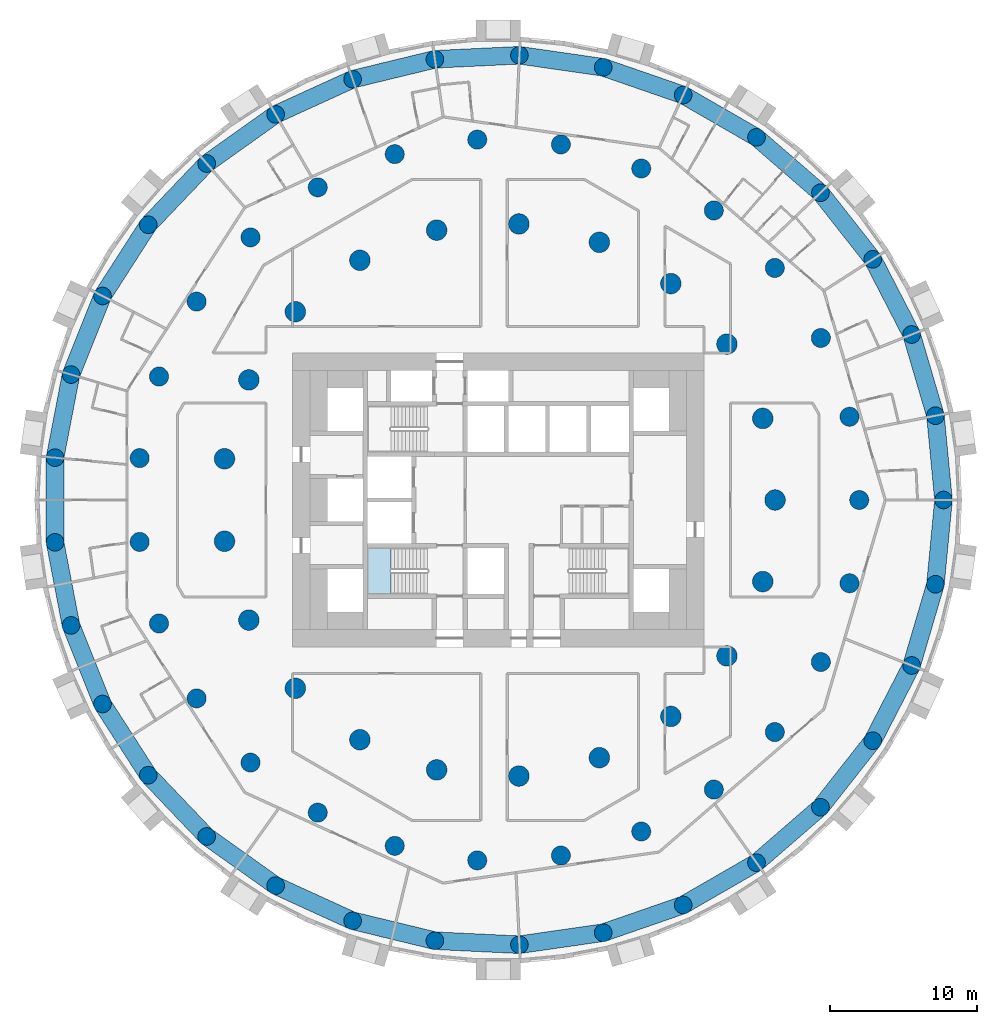
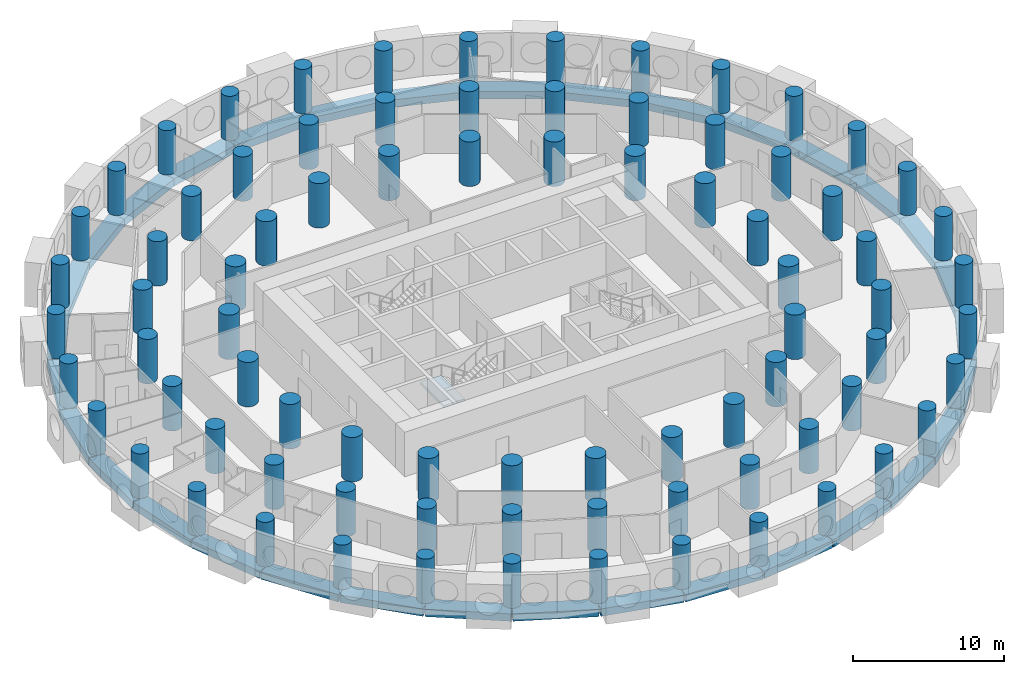
# One storey, part 1 of 12: 81 columns, 33 beams, 1 slab, 1 element without a shape of its own.
"""IFC4 building model written with IfcOpenShell, lengths in metres."""

from ifc_helpers import new_model, si_unit, direction, frame, origin, origin_2d, place, context, subcontext, project, spatial, polyline, rectangle, circle, outline, extrude, material, layer, layer_set, material_profile, profile_set, type_object, element, aggregate, save


model = new_model("IFC4")

# Units and contexts
model_context = context("Model", 3, precision=1e-05, world=origin(), true_north=direction((0.0, 1.0)))
body_context = subcontext(model_context, "Body", "Model", "MODEL_VIEW")
ifc_project = project(units=[si_unit("LENGTHUNIT", "METRE"), si_unit("AREAUNIT", "SQUARE_METRE"), si_unit("VOLUMEUNIT", "CUBIC_METRE"), si_unit("PLANEANGLEUNIT", "RADIAN"), si_unit("MASSUNIT", "GRAM", prefix="KILO")], contexts=[model_context])

# Site, building, storey
site_placement = place(None, origin())
site = spatial("IfcSite", under=ifc_project, at=site_placement, CompositionType="ELEMENT")
building_placement = place(site_placement, origin())
building = spatial("IfcBuilding", under=site, at=building_placement, Name="Tracery Tower", CompositionType="ELEMENT")
storey_placement = place(building_placement, frame((0.0, 0.0, 103.800048828125)))
storey = spatial("IfcBuildingStorey", under=building, at=storey_placement, Name="L26", CompositionType="ELEMENT", Elevation=103.800048828125)

# Columns
ifc_material_1 = material(Name="Concrete C60/75", Category="concrete")
ifc_material_profile_1 = material_profile(ifc_material_1, circle(Radius=0.60009765625, at=origin_2d()), Name="RC D1200")
ifc_profile_set_1 = profile_set([ifc_material_profile_1], Name="Concrete C60/75")
column_type_1 = type_object("IfcColumnType", Name="Ring 0 column 1200", PredefinedType="COLUMN", material=ifc_profile_set_1)
for number, where, z_axis, x_axis, name in (
    (1, (30.274658203125, 0.0, 0.0), (0.0, 0.0, 1.0), (1.0, 0.0, 0.0), "Ring 0 column 00 at L26"),
    (2, (29.7275390625, 5.7294921875, 0.0), (0.0, 0.0, 1.0), (1.0, 0.0, 0.0), "Ring 0 column 01 at L26"),
    (3, (28.10595703125, 11.251953125, 0.0), (0.0, 0.0, 1.0), (1.0, 0.0, 0.0), "Ring 0 column 02 at L26"),
    (4, (25.468505859375, 16.36767578125, 0.0), (0.0, 0.0, 1.0), (1.0, 0.0, 0.0), "Ring 0 column 03 at L26"),
    (5, (21.910888671875, 20.891845703125, 0.0), (0.0, 0.0, 1.0), (1.0, 0.0, 0.0), "Ring 0 column 04 at L26"),
    (6, (17.56103515625, 24.660888671875, 0.0), (0.0, 0.0, 1.0), (1.0, 0.0, 0.0), "Ring 0 column 05 at L26"),
    (7, (12.576416015625, 27.538818359375, 0.0), (0.0, 0.0, 1.0), (1.0, 0.0, 0.0), "Ring 0 column 06 at L26"),
    (8, (7.137451171875, 29.421142578125, 0.0), (0.0, 0.0, 1.0), (1.0, 0.0, 0.0), "Ring 0 column 07 at L26"),
    (9, (1.4404296875, 30.240234375, 0.0), (0.0, 0.0, 1.0), (1.0, 0.0, 0.0), "Ring 0 column 08 at L26"),
    (10, (-4.30859375, 29.96630859375, 0.0), (0.0, 0.0, 1.0), (1.0, 0.0, 0.0), "Ring 0 column 09 at L26"),
    (11, (-9.90185546875, 28.609619140625, 0.0), (0.0, 0.0, 1.0), (1.0, 0.0, 0.0), "Ring 0 column 10 at L26"),
    (12, (-15.13720703125, 26.218505859375, 0.0), (0.0, 0.0, 1.0), (1.0, 0.0, 0.0), "Ring 0 column 11 at L26"),
    (13, (-19.82568359375, 22.8798828125, 0.0), (0.0, 0.0, 1.0), (1.0, 0.0, 0.0), "Ring 0 column 12 at L26"),
    (14, (-23.79736328125, 18.714599609375, 0.0), (0.0, 0.0, 1.0), (1.0, 0.0, 0.0), "Ring 0 column 13 at L26"),
    (15, (-26.9091796875, 13.87255859375, 0.0), (0.0, 0.0, 1.0), (1.0, 0.0, 0.0), "Ring 0 column 14 at L26"),
    (16, (-29.04833984375, 8.529296875, 0.0), (0.0, 0.0, 1.0), (1.0, 0.0, 0.0), "Ring 0 column 15 at L26"),
    (17, (-30.137451171875, 2.877685546875, 0.0), (0.0, 0.0, 1.0), (1.0, 0.0, 0.0), "Ring 0 column 16 at L26"),
    (18, (-30.137451171875, -2.877685546875, 0.0), (0.0, 0.0, 1.0), (1.0, 0.0, 0.0), "Ring 0 column 17 at L26"),
    (19, (-29.04833984375, -8.529296875, 0.0), (0.0, 0.0, 1.0), (1.0, 0.0, 0.0), "Ring 0 column 18 at L26"),
    (20, (-26.9091796875, -13.87255859375, 0.0), (0.0, 0.0, 1.0), (1.0, 0.0, 0.0), "Ring 0 column 19 at L26"),
    (21, (-23.79736328125, -18.714599609375, 0.0), (0.0, 0.0, 1.0), (1.0, 0.0, 0.0), "Ring 0 column 20 at L26"),
    (22, (-19.82568359375, -22.8798828125, 0.0), (0.0, 0.0, 1.0), (1.0, 0.0, 0.0), "Ring 0 column 21 at L26"),
    (23, (-15.13720703125, -26.218505859375, 0.0), (0.0, 0.0, 1.0), (1.0, 0.0, 0.0), "Ring 0 column 22 at L26"),
    (24, (-9.90185546875, -28.609619140625, 0.0), (0.0, 0.0, 1.0), (1.0, 0.0, 0.0), "Ring 0 column 23 at L26"),
    (25, (-4.30859375, -29.96630859375, 0.0), (0.0, 0.0, 1.0), (1.0, 0.0, 0.0), "Ring 0 column 24 at L26"),
    (26, (1.4404296875, -30.240234375, 0.0), (0.0, 0.0, 1.0), (1.0, 0.0, 0.0), "Ring 0 column 25 at L26"),
    (27, (7.137451171875, -29.421142578125, 0.0), (0.0, 0.0, 1.0), (1.0, 0.0, 0.0), "Ring 0 column 26 at L26"),
    (28, (12.576416015625, -27.538818359375, 0.0), (0.0, 0.0, 1.0), (1.0, 0.0, 0.0), "Ring 0 column 27 at L26"),
    (29, (17.56103515625, -24.660888671875, 0.0), (0.0, 0.0, 1.0), (1.0, 0.0, 0.0), "Ring 0 column 28 at L26"),
    (30, (21.910888671875, -20.891845703125, 0.0), (0.0, 0.0, 1.0), (1.0, 0.0, 0.0), "Ring 0 column 29 at L26"),
    (31, (25.468505859375, -16.36767578125, 0.0), (0.0, 0.0, 1.0), (1.0, 0.0, 0.0), "Ring 0 column 30 at L26"),
    (32, (28.10595703125, -11.251953125, 0.0), (0.0, 0.0, 1.0), (1.0, 0.0, 0.0), "Ring 0 column 31 at L26"),
    (33, (29.7275390625, -5.7294921875, 0.0), (0.0, 0.0, 1.0), (1.0, 0.0, 0.0), "Ring 0 column 32 at L26"),
):
    element("IfcColumn", number, at=place(storey_placement, frame(where, z_axis=z_axis, x_axis=x_axis)), inside=storey, type_object=column_type_1, Name=name, PredefinedType="COLUMN", context=body_context, shape_type="SweptSolid", body=[
        extrude(circle(Radius=0.60009765625, at=origin_2d()), origin(), (0.0, 0.0, 1.0), 3.599853515625),
    ])
ifc_material_2 = material(Name="Concrete C60/75", Category="concrete")
ifc_material_profile_2 = material_profile(ifc_material_2, circle(Radius=0.64990234375, at=origin_2d()), Name="RC D1300")
ifc_profile_set_2 = profile_set([ifc_material_profile_2], Name="Concrete C60/75")
column_type_2 = type_object("IfcColumnType", Name="Ring 1 column 1300", PredefinedType="COLUMN", material=ifc_profile_set_2)
for number, where, z_axis, x_axis, name in (
    (34, (24.547607421875, 0.0, 0.0), (0.0, 0.0, 1.0), (1.0, 0.0, 0.0), "Ring 1 column 00 at L26"),
    (35, (23.885986328125, 5.6611328125, 0.0), (0.0, 0.0, 1.0), (1.0, 0.0, 0.0), "Ring 1 column 01 at L26"),
    (36, (21.9365234375, 11.01708984375, 0.0), (0.0, 0.0, 1.0), (1.0, 0.0, 0.0), "Ring 1 column 02 at L26"),
    (37, (18.8046875, 15.779052734375, 0.0), (0.0, 0.0, 1.0), (1.0, 0.0, 0.0), "Ring 1 column 03 at L26"),
    (38, (14.658935546875, 19.690185546875, 0.0), (0.0, 0.0, 1.0), (1.0, 0.0, 0.0), "Ring 1 column 04 at L26"),
    (39, (9.722900390625, 22.5400390625, 0.0), (0.0, 0.0, 1.0), (1.0, 0.0, 0.0), "Ring 1 column 05 at L26"),
    (40, (4.2626953125, 24.1748046875, 0.0), (0.0, 0.0, 1.0), (1.0, 0.0, 0.0), "Ring 1 column 06 at L26"),
    (41, (-1.42724609375, 24.506103515625, 0.0), (0.0, 0.0, 1.0), (1.0, 0.0, 0.0), "Ring 1 column 07 at L26"),
    (42, (-7.040283203125, 23.516357421875, 0.0), (0.0, 0.0, 1.0), (1.0, 0.0, 0.0), "Ring 1 column 08 at L26"),
    (43, (-12.273681640625, 21.2587890625, 0.0), (0.0, 0.0, 1.0), (1.0, 0.0, 0.0), "Ring 1 column 09 at L26"),
    (44, (-16.845703125, 17.855224609375, 0.0), (0.0, 0.0, 1.0), (1.0, 0.0, 0.0), "Ring 1 column 10 at L26"),
    (45, (-20.50927734375, 13.4892578125, 0.0), (0.0, 0.0, 1.0), (1.0, 0.0, 0.0), "Ring 1 column 11 at L26"),
    (46, (-23.0673828125, 8.395751953125, 0.0), (0.0, 0.0, 1.0), (1.0, 0.0, 0.0), "Ring 1 column 12 at L26"),
    (47, (-24.381591796875, 2.849853515625, 0.0), (0.0, 0.0, 1.0), (1.0, 0.0, 0.0), "Ring 1 column 13 at L26"),
    (48, (-24.381591796875, -2.849853515625, 0.0), (0.0, 0.0, 1.0), (1.0, 0.0, 0.0), "Ring 1 column 14 at L26"),
    (49, (-23.0673828125, -8.395751953125, 0.0), (0.0, 0.0, 1.0), (1.0, 0.0, 0.0), "Ring 1 column 15 at L26"),
    (50, (-20.50927734375, -13.4892578125, 0.0), (0.0, 0.0, 1.0), (1.0, 0.0, 0.0), "Ring 1 column 16 at L26"),
    (51, (-16.845703125, -17.85546875, 0.0), (0.0, 0.0, 1.0), (1.0, 0.0, 0.0), "Ring 1 column 17 at L26"),
    (52, (-12.27392578125, -21.2587890625, 0.0), (0.0, 0.0, 1.0), (1.0, 0.0, 0.0), "Ring 1 column 18 at L26"),
    (53, (-7.040283203125, -23.516357421875, 0.0), (0.0, 0.0, 1.0), (1.0, 0.0, 0.0), "Ring 1 column 19 at L26"),
    (54, (-1.42724609375, -24.506103515625, 0.0), (0.0, 0.0, 1.0), (1.0, 0.0, 0.0), "Ring 1 column 20 at L26"),
    (55, (4.2626953125, -24.1748046875, 0.0), (0.0, 0.0, 1.0), (1.0, 0.0, 0.0), "Ring 1 column 21 at L26"),
    (56, (9.722900390625, -22.5400390625, 0.0), (0.0, 0.0, 1.0), (1.0, 0.0, 0.0), "Ring 1 column 22 at L26"),
    (57, (14.658935546875, -19.690185546875, 0.0), (0.0, 0.0, 1.0), (1.0, 0.0, 0.0), "Ring 1 column 23 at L26"),
    (58, (18.8046875, -15.779052734375, 0.0), (0.0, 0.0, 1.0), (1.0, 0.0, 0.0), "Ring 1 column 24 at L26"),
    (59, (21.9365234375, -11.01708984375, 0.0), (0.0, 0.0, 1.0), (1.0, 0.0, 0.0), "Ring 1 column 25 at L26"),
    (60, (23.885986328125, -5.6611328125, 0.0), (0.0, 0.0, 1.0), (1.0, 0.0, 0.0), "Ring 1 column 26 at L26"),
):
    element("IfcColumn", number, at=place(storey_placement, frame(where, z_axis=z_axis, x_axis=x_axis)), inside=storey, type_object=column_type_2, Name=name, PredefinedType="COLUMN", context=body_context, shape_type="SweptSolid", body=[
        extrude(circle(Radius=0.64990234375, at=origin_2d()), origin(), (0.0, 0.0, 1.0), 3.599853515625),
    ])
ifc_material_3 = material(Name="Concrete C60/75", Category="concrete")
ifc_material_profile_3 = material_profile(ifc_material_3, circle(Radius=0.699951171875, at=origin_2d()), Name="RC D1400")
ifc_profile_set_3 = profile_set([ifc_material_profile_3], Name="Concrete C60/75")
column_type_3 = type_object("IfcColumnType", Name="Ring 2 column 1400", PredefinedType="COLUMN", material=ifc_profile_set_3)
for number, where, z_axis, x_axis, name in (
    (61, (18.822265625, 0.0, 0.0), (0.0, 0.0, 1.0), (1.0, 0.0, 0.0), "Ring 2 column 00 at L26"),
    (62, (17.986083984375, 5.5478515625, 0.0), (0.0, 0.0, 1.0), (1.0, 0.0, 0.0), "Ring 2 column 01 at L26"),
    (63, (15.551513671875, 10.602783203125, 0.0), (0.0, 0.0, 1.0), (1.0, 0.0, 0.0), "Ring 2 column 02 at L26"),
    (64, (11.7353515625, 14.7158203125, 0.0), (0.0, 0.0, 1.0), (1.0, 0.0, 0.0), "Ring 2 column 03 at L26"),
    (65, (6.87646484375, 17.52099609375, 0.0), (0.0, 0.0, 1.0), (1.0, 0.0, 0.0), "Ring 2 column 04 at L26"),
    (66, (1.406494140625, 18.76953125, 0.0), (0.0, 0.0, 1.0), (1.0, 0.0, 0.0), "Ring 2 column 05 at L26"),
    (67, (-4.188232421875, 18.350341796875, 0.0), (0.0, 0.0, 1.0), (1.0, 0.0, 0.0), "Ring 2 column 06 at L26"),
    (68, (-9.4111328125, 16.300537109375, 0.0), (0.0, 0.0, 1.0), (1.0, 0.0, 0.0), "Ring 2 column 07 at L26"),
    (69, (-13.797607421875, 12.802490234375, 0.0), (0.0, 0.0, 1.0), (1.0, 0.0, 0.0), "Ring 2 column 08 at L26"),
    (70, (-16.958251953125, 8.16650390625, 0.0), (0.0, 0.0, 1.0), (1.0, 0.0, 0.0), "Ring 2 column 09 at L26"),
    (71, (-18.612060546875, 2.805419921875, 0.0), (0.0, 0.0, 1.0), (1.0, 0.0, 0.0), "Ring 2 column 10 at L26"),
    (72, (-18.612060546875, -2.805419921875, 0.0), (0.0, 0.0, 1.0), (1.0, 0.0, 0.0), "Ring 2 column 11 at L26"),
    (73, (-16.958251953125, -8.166748046875, 0.0), (0.0, 0.0, 1.0), (1.0, 0.0, 0.0), "Ring 2 column 12 at L26"),
    (74, (-13.797607421875, -12.80224609375, 0.0), (0.0, 0.0, 1.0), (1.0, 0.0, 0.0), "Ring 2 column 13 at L26"),
    (75, (-9.4111328125, -16.300537109375, 0.0), (0.0, 0.0, 1.0), (1.0, 0.0, 0.0), "Ring 2 column 14 at L26"),
    (76, (-4.188232421875, -18.350341796875, 0.0), (0.0, 0.0, 1.0), (1.0, 0.0, 0.0), "Ring 2 column 15 at L26"),
    (77, (1.406494140625, -18.76953125, 0.0), (0.0, 0.0, 1.0), (1.0, 0.0, 0.0), "Ring 2 column 16 at L26"),
    (78, (6.87646484375, -17.52099609375, 0.0), (0.0, 0.0, 1.0), (1.0, 0.0, 0.0), "Ring 2 column 17 at L26"),
    (79, (11.7353515625, -14.7158203125, 0.0), (0.0, 0.0, 1.0), (1.0, 0.0, 0.0), "Ring 2 column 18 at L26"),
    (80, (15.551513671875, -10.602783203125, 0.0), (0.0, 0.0, 1.0), (1.0, 0.0, 0.0), "Ring 2 column 19 at L26"),
    (81, (17.986083984375, -5.5478515625, 0.0), (0.0, 0.0, 1.0), (1.0, 0.0, 0.0), "Ring 2 column 20 at L26"),
):
    element("IfcColumn", number, at=place(storey_placement, frame(where, z_axis=z_axis, x_axis=x_axis)), inside=storey, type_object=column_type_3, Name=name, PredefinedType="COLUMN", context=body_context, shape_type="SweptSolid", body=[
        extrude(circle(Radius=0.699951171875, at=origin_2d()), origin(), (0.0, 0.0, 1.0), 3.599853515625),
    ])

# Beams
ifc_material_4 = material(Name="Concrete C60/75", Category="concrete")
ifc_material_profile_4 = material_profile(ifc_material_4, rectangle(XDim=1.199951171875, YDim=0.60009765625, at=origin_2d()), Name="RC 1200x600")
ifc_profile_set_4 = profile_set([ifc_material_profile_4], Name="Concrete C60/75")
beam_type = type_object("IfcBeamType", Name="Perimeter band beam 1200x600", PredefinedType="BEAM", material=ifc_profile_set_4)
for number, where, z_axis, x_axis, name in (
    (82, (30.274658203125, 0.0, -0.75), (-0.095059309677, 0.995471610667, 0.0), (-0.995471610667, -0.095059309677, 0.0), "Perimeter beam 0.00 under L26"),
    (83, (29.7275390625, 5.7294921875, -0.75), (-0.281739145896, 0.959491038869, 0.0), (-0.959491038869, -0.281739145896, 0.0), "Perimeter beam 0.01 under L26"),
    (84, (28.10595703125, 11.251953125, -0.75), (-0.458242010493, 0.88882746347, 0.0), (-0.88882746347, -0.458242010493, 0.0), "Perimeter beam 0.02 under L26"),
):
    element("IfcBeam", number, at=place(storey_placement, frame(where, z_axis=z_axis, x_axis=x_axis)), inside=storey, type_object=beam_type, Name=name, PredefinedType="BEAM", context=body_context, shape_type="SweptSolid", body=[
        extrude(rectangle(XDim=1.199951171875, YDim=0.60009765625, at=origin_2d()), origin(), (0.0, 0.0, 1.0), 5.755615234375),
    ])
beam_1_placement = place(storey_placement, frame((25.468505859375, 16.36767578125, -0.75), z_axis=(-0.618134362257, 0.786072458618, 0.0), x_axis=(-0.786072458618, -0.618134362257, 0.0)))
element("IfcBeam", 85, at=beam_1_placement, inside=storey, type_object=beam_type, Name="Perimeter beam 0.03 under L26", PredefinedType="BEAM", context=body_context, shape_type="SweptSolid", body=[
    extrude(rectangle(XDim=1.199951171875, YDim=0.60009765625, at=origin_2d()), origin(), (0.0, 0.0, 1.0), 5.75537109375),
])
beam_2_placement = place(storey_placement, frame((21.910888671875, 20.891845703125, -0.75), z_axis=(-0.755760456715, 0.65484817482, 0.0), x_axis=(-0.65484817482, -0.755760456715, 0.0)))
element("IfcBeam", 86, at=beam_2_placement, inside=storey, type_object=beam_type, Name="Perimeter beam 0.04 under L26", PredefinedType="BEAM", context=body_context, shape_type="SweptSolid", body=[
    extrude(rectangle(XDim=1.199951171875, YDim=0.60009765625, at=origin_2d()), origin(), (0.0, 0.0, 1.0), 5.755615234375),
])
beam_3_placement = place(storey_placement, frame((17.56103515625, 24.660888671875, -0.75), z_axis=(-0.866021003874, 0.50000762079, 0.0), x_axis=(-0.50000762079, -0.866021003874, 0.0)))
element("IfcBeam", 87, at=beam_3_placement, inside=storey, type_object=beam_type, Name="Perimeter beam 0.05 under L26", PredefinedType="BEAM", context=body_context, shape_type="SweptSolid", body=[
    extrude(rectangle(XDim=1.199951171875, YDim=0.60009765625, at=origin_2d()), origin(), (0.0, 0.0, 1.0), 5.755859375),
])
beam_4_placement = place(storey_placement, frame((12.576416015625, 27.538818359375, -0.75), z_axis=(-0.945007252869, 0.327049372458, 0.0), x_axis=(-0.327049372458, -0.945007252869, 0.0)))
element("IfcBeam", 88, at=beam_4_placement, inside=storey, type_object=beam_type, Name="Perimeter beam 0.06 under L26", PredefinedType="BEAM", context=body_context, shape_type="SweptSolid", body=[
    extrude(rectangle(XDim=1.199951171875, YDim=0.60009765625, at=origin_2d()), origin(), (0.0, 0.0, 1.0), 5.75537109375),
])
for number, where, z_axis, x_axis, name in (
    (89, (7.137451171875, 29.421142578125, -0.75), (-0.989821839174, 0.142312075013, 0.0), (-0.142312075013, -0.989821839174, 0.0), "Perimeter beam 0.07 under L26"),
    (90, (1.4404296875, 30.240234375, -0.75), (-0.998866793759, -0.047593364303, 0.0), (0.047593364303, -0.998866793759, 0.0), "Perimeter beam 0.08 under L26"),
):
    element("IfcBeam", number, at=place(storey_placement, frame(where, z_axis=z_axis, x_axis=x_axis)), inside=storey, type_object=beam_type, Name=name, PredefinedType="BEAM", context=body_context, shape_type="SweptSolid", body=[
        extrude(rectangle(XDim=1.199951171875, YDim=0.60009765625, at=origin_2d()), origin(), (0.0, 0.0, 1.0), 5.755615234375),
    ])
beam_5_placement = place(storey_placement, frame((-4.30859375, 29.96630859375, -0.75), z_axis=(-0.971820371509, -0.235722645328, 0.0), x_axis=(0.235722645328, -0.971820371509, 0.0)))
element("IfcBeam", 91, at=beam_5_placement, inside=storey, type_object=beam_type, Name="Perimeter beam 0.09 under L26", PredefinedType="BEAM", context=body_context, shape_type="SweptSolid", body=[
    extrude(rectangle(XDim=1.199951171875, YDim=0.60009765625, at=origin_2d()), origin(), (0.0, 0.0, 1.0), 5.75537109375),
])
for number, where, z_axis, x_axis, name in (
    (92, (-9.90185546875, 28.609619140625, -0.75), (-0.909618316865, -0.415444963411, 0.0), (0.415444963411, -0.909618316865, 0.0), "Perimeter beam 0.10 under L26"),
    (93, (-15.13720703125, 26.218505859375, -0.75), (-0.8145780864, -0.580053912285, 0.0), (0.580053912285, -0.8145780864, 0.0), "Perimeter beam 0.11 under L26"),
):
    element("IfcBeam", number, at=place(storey_placement, frame(where, z_axis=z_axis, x_axis=x_axis)), inside=storey, type_object=beam_type, Name=name, PredefinedType="BEAM", context=body_context, shape_type="SweptSolid", body=[
        extrude(rectangle(XDim=1.199951171875, YDim=0.60009765625, at=origin_2d()), origin(), (0.0, 0.0, 1.0), 5.755615234375),
    ])
beam_6_placement = place(storey_placement, frame((-19.82568359375, 22.8798828125, -0.75), z_axis=(-0.690087218267, -0.723726212863, 0.0), x_axis=(0.723726212863, -0.690087218267, 0.0)))
element("IfcBeam", 94, at=beam_6_placement, inside=storey, type_object=beam_type, Name="Perimeter beam 0.12 under L26", PredefinedType="BEAM", context=body_context, shape_type="SweptSolid", body=[
    extrude(rectangle(XDim=1.199951171875, YDim=0.60009765625, at=origin_2d()), origin(), (0.0, 0.0, 1.0), 5.75537109375),
])
beam_7_placement = place(storey_placement, frame((-23.79736328125, 18.714599609375, -0.75), z_axis=(-0.540643964602, -0.841251510274, 0.0), x_axis=(0.841251510274, -0.540643964602, 0.0)))
element("IfcBeam", 95, at=beam_7_placement, inside=storey, type_object=beam_type, Name="Perimeter beam 0.13 under L26", PredefinedType="BEAM", context=body_context, shape_type="SweptSolid", body=[
    extrude(rectangle(XDim=1.199951171875, YDim=0.60009765625, at=origin_2d()), origin(), (0.0, 0.0, 1.0), 5.755859375),
])
for number, where, z_axis, x_axis, name in (
    (96, (-26.9091796875, 13.87255859375, -0.75), (-0.371668572289, -0.928365484264, 0.0), (0.928365484264, -0.371668572289, 0.0), "Perimeter beam 0.14 under L26"),
    (97, (-29.04833984375, 8.529296875, -0.75), (-0.189226539295, -0.981933458451, 0.0), (0.981933458451, -0.189226539295, 0.0), "Perimeter beam 0.15 under L26"),
):
    element("IfcBeam", number, at=place(storey_placement, frame(where, z_axis=z_axis, x_axis=x_axis)), inside=storey, type_object=beam_type, Name=name, PredefinedType="BEAM", context=body_context, shape_type="SweptSolid", body=[
        extrude(rectangle(XDim=1.199951171875, YDim=0.60009765625, at=origin_2d()), origin(), (0.0, 0.0, 1.0), 5.755615234375),
    ])
beam_8_placement = place(storey_placement, frame((-30.137451171875, 2.877685546875, -0.75), z_axis=(0.0, -1.0, 0.0), x_axis=(1.0, 0.0, 0.0)))
element("IfcBeam", 98, at=beam_8_placement, inside=storey, type_object=beam_type, Name="Perimeter beam 0.16 under L26", PredefinedType="BEAM", context=body_context, shape_type="SweptSolid", body=[
    extrude(rectangle(XDim=1.199951171875, YDim=0.60009765625, at=origin_2d()), origin(), (0.0, 0.0, 1.0), 5.75537109375),
])
for number, where, z_axis, x_axis, name in (
    (99, (-30.137451171875, -2.877685546875, -0.75), (0.189226539295, -0.981933458451, 0.0), (0.981933458451, 0.189226539295, 0.0), "Perimeter beam 0.17 under L26"),
    (100, (-29.04833984375, -8.529296875, -0.75), (0.371668572289, -0.928365484264, 0.0), (0.928365484264, 0.371668572289, 0.0), "Perimeter beam 0.18 under L26"),
):
    element("IfcBeam", number, at=place(storey_placement, frame(where, z_axis=z_axis, x_axis=x_axis)), inside=storey, type_object=beam_type, Name=name, PredefinedType="BEAM", context=body_context, shape_type="SweptSolid", body=[
        extrude(rectangle(XDim=1.199951171875, YDim=0.60009765625, at=origin_2d()), origin(), (0.0, 0.0, 1.0), 5.755615234375),
    ])
beam_9_placement = place(storey_placement, frame((-26.9091796875, -13.87255859375, -0.75), z_axis=(0.540643964602, -0.841251510274, 0.0), x_axis=(0.841251510274, 0.540643964602, 0.0)))
element("IfcBeam", 101, at=beam_9_placement, inside=storey, type_object=beam_type, Name="Perimeter beam 0.19 under L26", PredefinedType="BEAM", context=body_context, shape_type="SweptSolid", body=[
    extrude(rectangle(XDim=1.199951171875, YDim=0.60009765625, at=origin_2d()), origin(), (0.0, 0.0, 1.0), 5.755859375),
])
beam_10_placement = place(storey_placement, frame((-23.79736328125, -18.714599609375, -0.75), z_axis=(0.690087218267, -0.723726212863, 0.0), x_axis=(0.723726212863, 0.690087218267, 0.0)))
element("IfcBeam", 102, at=beam_10_placement, inside=storey, type_object=beam_type, Name="Perimeter beam 0.20 under L26", PredefinedType="BEAM", context=body_context, shape_type="SweptSolid", body=[
    extrude(rectangle(XDim=1.199951171875, YDim=0.60009765625, at=origin_2d()), origin(), (0.0, 0.0, 1.0), 5.75537109375),
])
for number, where, z_axis, x_axis, name in (
    (103, (-19.82568359375, -22.8798828125, -0.75), (0.8145780864, -0.580053912285, 0.0), (0.580053912285, 0.8145780864, 0.0), "Perimeter beam 0.21 under L26"),
    (104, (-15.13720703125, -26.218505859375, -0.75), (0.909618316865, -0.415444963411, 0.0), (0.415444963411, 0.909618316865, 0.0), "Perimeter beam 0.22 under L26"),
):
    element("IfcBeam", number, at=place(storey_placement, frame(where, z_axis=z_axis, x_axis=x_axis)), inside=storey, type_object=beam_type, Name=name, PredefinedType="BEAM", context=body_context, shape_type="SweptSolid", body=[
        extrude(rectangle(XDim=1.199951171875, YDim=0.60009765625, at=origin_2d()), origin(), (0.0, 0.0, 1.0), 5.755615234375),
    ])
beam_11_placement = place(storey_placement, frame((-9.90185546875, -28.609619140625, -0.75), z_axis=(0.971820371509, -0.235722645328, 0.0), x_axis=(0.235722645328, 0.971820371509, 0.0)))
element("IfcBeam", 105, at=beam_11_placement, inside=storey, type_object=beam_type, Name="Perimeter beam 0.23 under L26", PredefinedType="BEAM", context=body_context, shape_type="SweptSolid", body=[
    extrude(rectangle(XDim=1.199951171875, YDim=0.60009765625, at=origin_2d()), origin(), (0.0, 0.0, 1.0), 5.75537109375),
])
for number, where, z_axis, x_axis, name in (
    (106, (-4.30859375, -29.96630859375, -0.75), (0.998866793759, -0.047593364303, 0.0), (0.047593364303, 0.998866793759, 0.0), "Perimeter beam 0.24 under L26"),
    (107, (1.4404296875, -30.240234375, -0.75), (0.989821839174, 0.142312075013, 0.0), (-0.142312075013, 0.989821839174, 0.0), "Perimeter beam 0.25 under L26"),
):
    element("IfcBeam", number, at=place(storey_placement, frame(where, z_axis=z_axis, x_axis=x_axis)), inside=storey, type_object=beam_type, Name=name, PredefinedType="BEAM", context=body_context, shape_type="SweptSolid", body=[
        extrude(rectangle(XDim=1.199951171875, YDim=0.60009765625, at=origin_2d()), origin(), (0.0, 0.0, 1.0), 5.755615234375),
    ])
beam_12_placement = place(storey_placement, frame((7.137451171875, -29.421142578125, -0.75), z_axis=(0.945007252869, 0.327049372458, 0.0), x_axis=(-0.327049372458, 0.945007252869, 0.0)))
element("IfcBeam", 108, at=beam_12_placement, inside=storey, type_object=beam_type, Name="Perimeter beam 0.26 under L26", PredefinedType="BEAM", context=body_context, shape_type="SweptSolid", body=[
    extrude(rectangle(XDim=1.199951171875, YDim=0.60009765625, at=origin_2d()), origin(), (0.0, 0.0, 1.0), 5.75537109375),
])
beam_13_placement = place(storey_placement, frame((12.576416015625, -27.538818359375, -0.75), z_axis=(0.866021003874, 0.50000762079, 0.0), x_axis=(-0.50000762079, 0.866021003874, 0.0)))
element("IfcBeam", 109, at=beam_13_placement, inside=storey, type_object=beam_type, Name="Perimeter beam 0.27 under L26", PredefinedType="BEAM", context=body_context, shape_type="SweptSolid", body=[
    extrude(rectangle(XDim=1.199951171875, YDim=0.60009765625, at=origin_2d()), origin(), (0.0, 0.0, 1.0), 5.755859375),
])
beam_14_placement = place(storey_placement, frame((17.56103515625, -24.660888671875, -0.75), z_axis=(0.755760456715, 0.65484817482, 0.0), x_axis=(-0.65484817482, 0.755760456715, 0.0)))
element("IfcBeam", 110, at=beam_14_placement, inside=storey, type_object=beam_type, Name="Perimeter beam 0.28 under L26", PredefinedType="BEAM", context=body_context, shape_type="SweptSolid", body=[
    extrude(rectangle(XDim=1.199951171875, YDim=0.60009765625, at=origin_2d()), origin(), (0.0, 0.0, 1.0), 5.755615234375),
])
beam_15_placement = place(storey_placement, frame((21.910888671875, -20.891845703125, -0.75), z_axis=(0.618134362257, 0.786072458618, 0.0), x_axis=(-0.786072458618, 0.618134362257, 0.0)))
element("IfcBeam", 111, at=beam_15_placement, inside=storey, type_object=beam_type, Name="Perimeter beam 0.29 under L26", PredefinedType="BEAM", context=body_context, shape_type="SweptSolid", body=[
    extrude(rectangle(XDim=1.199951171875, YDim=0.60009765625, at=origin_2d()), origin(), (0.0, 0.0, 1.0), 5.75537109375),
])
for number, where, z_axis, x_axis, name in (
    (112, (25.468505859375, -16.36767578125, -0.75), (0.458242010493, 0.88882746347, 0.0), (-0.88882746347, 0.458242010493, 0.0), "Perimeter beam 0.30 under L26"),
    (113, (28.10595703125, -11.251953125, -0.75), (0.281739145896, 0.959491038869, 0.0), (-0.959491038869, 0.281739145896, 0.0), "Perimeter beam 0.31 under L26"),
    (114, (29.7275390625, -5.7294921875, -0.75), (0.095059309677, 0.995471610667, 0.0), (-0.995471610667, 0.095059309677, 0.0), "Perimeter beam 0.32 under L26"),
):
    element("IfcBeam", number, at=place(storey_placement, frame(where, z_axis=z_axis, x_axis=x_axis)), inside=storey, type_object=beam_type, Name=name, PredefinedType="BEAM", context=body_context, shape_type="SweptSolid", body=[
        extrude(rectangle(XDim=1.199951171875, YDim=0.60009765625, at=origin_2d()), origin(), (0.0, 0.0, 1.0), 5.755615234375),
    ])

# Stair, slab
ifc_material_5 = material(Name="Concrete C32/40", Category="concrete")
stair_type = type_object("IfcStairType", Name="Core stair 22 risers", PredefinedType="HALF_TURN_STAIR", material=ifc_material_5)
stair_placement = place(storey_placement, origin())
stair = element("IfcStair", 115, at=stair_placement, inside=storey, type_object=stair_type, Name="L26 stair ST1", PredefinedType="HALF_TURN_STAIR")
ifc_material_6 = material(Name="Concrete C32/40", Category="concrete")
ifc_layer = layer(ifc_material_6, 0.199951171875)
ifc_layer_set = layer_set([ifc_layer], Name="Stair landing slab 200")
slab_type = type_object("IfcSlabType", Name="Stair landing slab 200", PredefinedType="LANDING", material=ifc_layer_set)
slab_placement = place(storey_placement, frame((0.0, 0.0, 1.599853515625)))
slab = element("IfcSlab", 116, at=slab_placement, type_object=slab_type, Name="ST1 landing 1", PredefinedType="LANDING", context=body_context, shape_type="SweptSolid", body=[
    extrude(outline(polyline([(-7.29931640625, -3.25), (-8.89990234375, -3.25), (-8.89990234375, -6.39990234375), (-7.29931640625, -6.39990234375), (-7.29931640625, -3.25)])), origin(), (0.0, 0.0, 1.0), 0.2001953125),
])
aggregate(stair, [slab])

save(model, "model.ifc")
